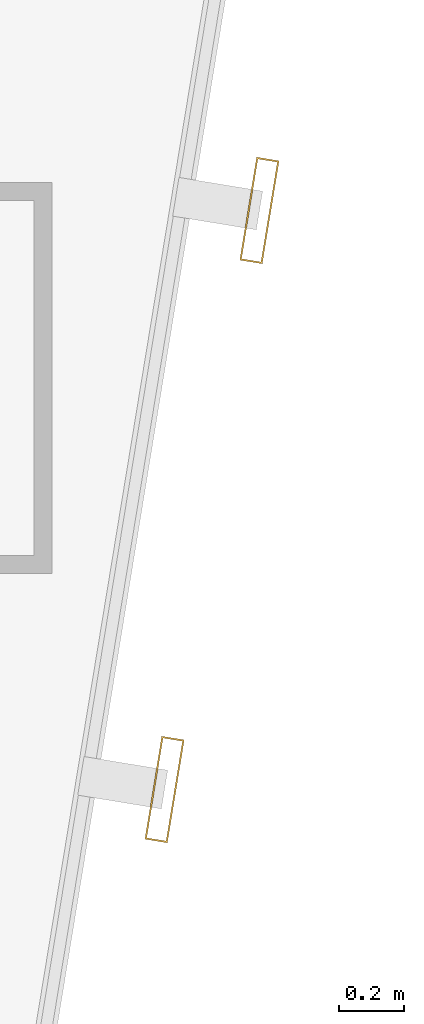
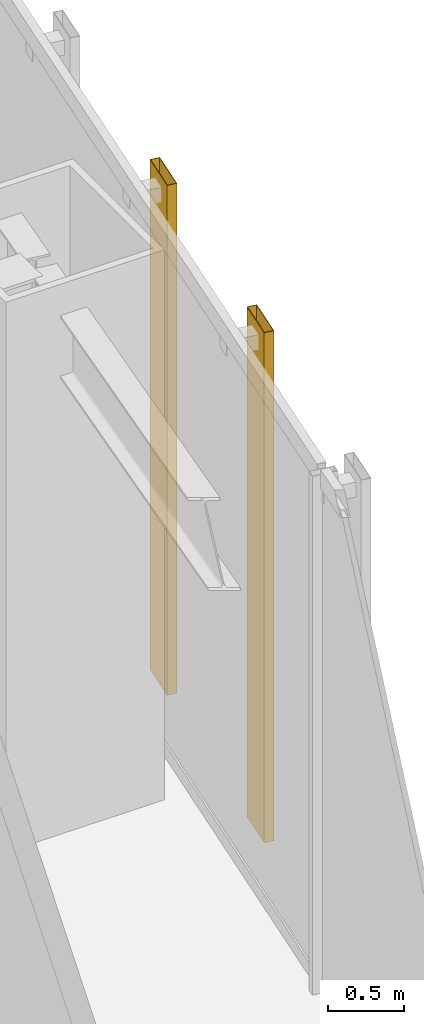
# One storey, part 45 of 47: 2 shading devices.
"""IFC4 building model written with IfcOpenShell, lengths in metres."""

from ifc_helpers import new_model, si_unit, direction, frame, origin, origin_2d, place, context, subcontext, project, spatial, hollow_rectangle, extrude, material, material_profile, profile_set, type_object, element, save


model = new_model("IFC4")

# Units and contexts
model_context = context("Model", 3, precision=1e-05, world=origin(), true_north=direction((0.0, 1.0)))
body_context = subcontext(model_context, "Body", "Model", "MODEL_VIEW")
ifc_project = project(units=[si_unit("LENGTHUNIT", "METRE"), si_unit("AREAUNIT", "SQUARE_METRE"), si_unit("VOLUMEUNIT", "CUBIC_METRE"), si_unit("PLANEANGLEUNIT", "RADIAN"), si_unit("MASSUNIT", "GRAM", prefix="KILO")], contexts=[model_context])

# Site, building, storey
site_placement = place(None, origin())
site = spatial("IfcSite", under=ifc_project, at=site_placement, CompositionType="ELEMENT")
building_placement = place(site_placement, origin())
building = spatial("IfcBuilding", under=site, at=building_placement, Name="Saevonmaru Cultural Tower", CompositionType="ELEMENT")
storey_placement = place(building_placement, frame((0.0, 0.0, 64.800048828125)))
storey = spatial("IfcBuildingStorey", under=building, at=storey_placement, Name="L13", CompositionType="ELEMENT", Elevation=64.800048828125)

# Shading devices
ifc_material = material(Name="Satin Bronze Anodised Aluminium", Category="aluminium")
ifc_material_profile = material_profile(ifc_material, hollow_rectangle(XDim=0.070068359375, YDim=0.320068359375, WallThickness=0.0048828125, at=origin_2d()), Name="FIN-320x70")
ifc_profile_set = profile_set([ifc_material_profile], Name="Satin Bronze Anodised Aluminium")
shading_device_type = type_object("IfcShadingDeviceType", Name="SHD-FIN-320", PredefinedType="JALOUSIE", material=ifc_profile_set)
for number, where, z_axis, x_axis, name in (
    (1, (52.6279296875, 30.737548828125, 0.050048828125), (0.0, 0.0, 1.0), (0.986827496189, -0.161776057456, 0.0), "L13 Art Deco Sawtooth Bronze Fin E8-15"),
    (2, (52.9189453125, 32.513916015625, 0.050048828125), (0.0, 0.0, 1.0), (0.986827496189, -0.161776057456, 0.0), "L13 Art Deco Sawtooth Bronze Fin E8-16"),
):
    element("IfcShadingDevice", number, at=place(storey_placement, frame(where, z_axis=z_axis, x_axis=x_axis)), inside=storey, type_object=shading_device_type, Name=name, PredefinedType="JALOUSIE", context=body_context, shape_type="SweptSolid", body=[
        extrude(hollow_rectangle(XDim=0.070068359375, YDim=0.320068359375, WallThickness=0.0048828125, at=origin_2d()), origin(), (0.0, 0.0, 1.0), 4.079833984375),
    ])

save(model, "model.ifc")
